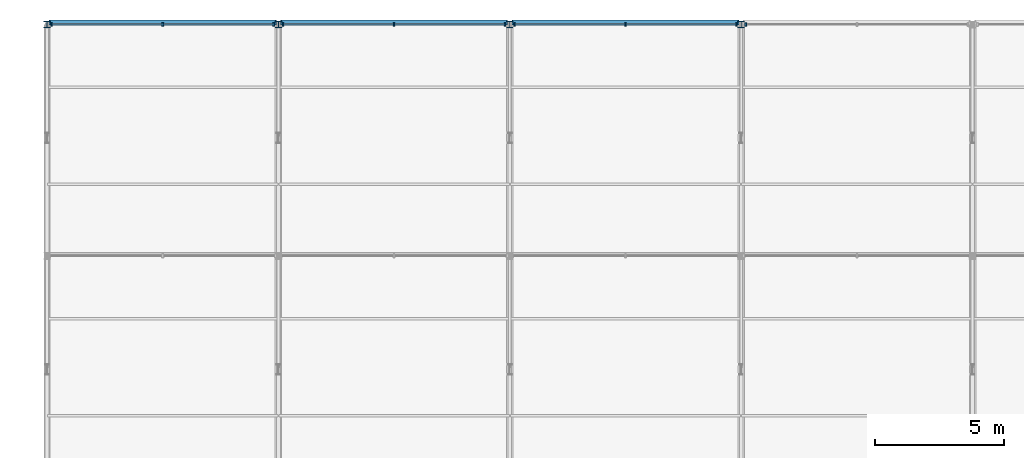
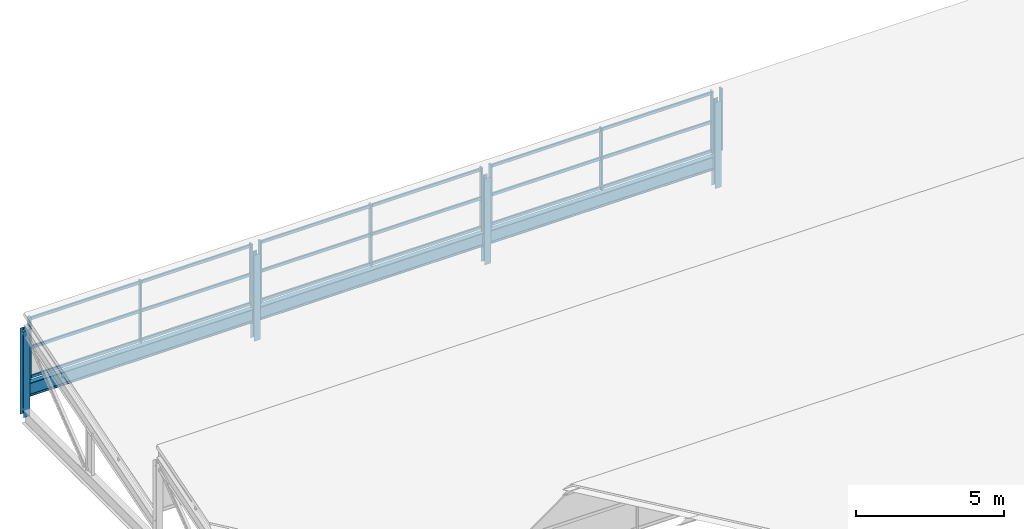
# One storey, part 93 of 163: 32 members, 3 beams, 4 elements without a shape of their own.
"""IFC4 building model written with IfcOpenShell, lengths in metres."""

from ifc_helpers import new_model, si_unit, direction, frame, origin, origin_2d, place, context, subcontext, project, spatial, rectangle, i_section, extrude, material, material_profile, profile_set, type_object, element, aggregate, save


model = new_model("IFC4")

# Units and contexts
model_context = context("Model", 3, precision=1e-05, world=origin(), true_north=direction((0.0, 1.0)))
body_context = subcontext(model_context, "Body", "Model", "MODEL_VIEW")
ifc_project = project(units=[si_unit("LENGTHUNIT", "METRE"), si_unit("AREAUNIT", "SQUARE_METRE"), si_unit("VOLUMEUNIT", "CUBIC_METRE"), si_unit("PLANEANGLEUNIT", "RADIAN"), si_unit("MASSUNIT", "GRAM", prefix="KILO")], contexts=[model_context])

# Site, building, storey
site_placement = place(None, origin())
site = spatial("IfcSite", under=ifc_project, at=site_placement, CompositionType="ELEMENT")
building_placement = place(site_placement, origin())
building = spatial("IfcBuilding", under=site, at=building_placement, Name="Tharagai Park Tramway Depot", CompositionType="ELEMENT")
storey_placement = place(building_placement, frame((0.0, 0.0, 8.39990234375)))
storey = spatial("IfcBuildingStorey", under=building, at=storey_placement, Name="L02", CompositionType="ELEMENT", Elevation=8.39990234375)

# Beams
ifc_material_1 = material(Name="Steel E350", Category="steel")
ifc_material_profile_1 = material_profile(ifc_material_1, i_section(OverallWidth=0.18994140625, OverallDepth=0.550048828125, WebThickness=0.01123046875, FlangeThickness=0.019287109375, FilletRadius=0.01806640625, at=origin_2d()), Name="ISMB 550")
ifc_profile_set_1 = profile_set([ifc_material_profile_1], Name="Steel E350")
beam_type = type_object("IfcBeamType", Name="BM-09", PredefinedType="BEAM", material=ifc_profile_set_1)
for number, where, z_axis, x_axis, name in (
    (1, (0.080078125, 144.0, 0.72509765625), (1.0, 0.0, 0.0), (0.0, 1.0, 0.0), "Sawtooth Valley Girder BM-09"),
    (2, (9.080078125, 144.0, 0.72509765625), (1.0, 0.0, 0.0), (0.0, 1.0, 0.0), "Sawtooth Valley Girder BM-09"),
    (3, (18.080078125, 144.0, 0.72509765625), (1.0, 0.0, 0.0), (0.0, 1.0, 0.0), "Sawtooth Valley Girder BM-09"),
):
    element("IfcBeam", number, at=place(storey_placement, frame(where, z_axis=z_axis, x_axis=x_axis)), inside=storey, type_object=beam_type, Name=name, PredefinedType="BEAM", context=body_context, shape_type="SweptSolid", body=[
        extrude(i_section(OverallWidth=0.18994140625, OverallDepth=0.550048828125, WebThickness=0.01123046875, FlangeThickness=0.019287109375, FilletRadius=0.01806640625, at=origin_2d()), origin(), (0.0, 0.0, 1.0), 8.83984375),
    ])

# Members
ifc_material_profile_2 = material_profile(ifc_material_1, i_section(OverallWidth=0.25, OverallDepth=0.25, WebThickness=0.0087890625, FlangeThickness=0.009765625, FilletRadius=0.010009765625, at=origin_2d()), Name="ISHB 250")
ifc_profile_set_2 = profile_set([ifc_material_profile_2], Name="Steel E350")
member_type_1 = type_object("IfcMemberType", Name="BR-01", PredefinedType="BRACE", material=ifc_profile_set_2)
for number, where, z_axis, x_axis, name in (
    (4, (0.0, 143.919921875, -0.25), (0.0, 0.0, 1.0), (1.0, 0.0, 0.0), "Sawtooth North Vertical Post BR-01"),
    (5, (9.0, 143.919921875, -0.25), (0.0, 0.0, 1.0), (1.0, 0.0, 0.0), "Sawtooth North Vertical Post BR-01"),
    (6, (18.0, 143.919921875, -0.25), (0.0, 0.0, 1.0), (1.0, 0.0, 0.0), "Sawtooth North Vertical Post BR-01"),
    (7, (27.0, 143.919921875, -0.25), (0.0, 0.0, 1.0), (1.0, 0.0, 0.0), "Sawtooth North Vertical Post BR-01"),
):
    element("IfcMember", number, at=place(storey_placement, frame(where, z_axis=z_axis, x_axis=x_axis)), inside=storey, type_object=member_type_1, Name=name, PredefinedType="BRACE", context=body_context, shape_type="SweptSolid", body=[
        extrude(i_section(OverallWidth=0.25, OverallDepth=0.25, WebThickness=0.0087890625, FlangeThickness=0.009765625, FilletRadius=0.010009765625, at=origin_2d()), origin(), (0.0, 0.0, 1.0), 3.55517578125),
    ])

# Curtain wall, members
ifc_material_2 = material(Name="Anodised aluminium", Category="aluminium")
curtain_wall_type = type_object("IfcCurtainWallType", Name="CW-03", PredefinedType="NOTDEFINED", material=ifc_material_2)
curtain_wall_1_placement = place(storey_placement, origin())
curtain_wall_1 = element("IfcCurtainWall", 8, at=curtain_wall_1_placement, inside=storey, type_object=curtain_wall_type, Name="Sawtooth North-Light Clerestory CW-03", PredefinedType="NOTDEFINED")
ifc_material_profile_3 = material_profile(ifc_material_2, rectangle(XDim=0.06494140625, YDim=0.1201171875, at=origin_2d()), Name="ALU 65x120")
ifc_profile_set_3 = profile_set([ifc_material_profile_3], Name="Anodised aluminium")
member_type_2 = type_object("IfcMemberType", Name="CM-01", PredefinedType="USERDEFINED", material=ifc_profile_set_3)
member_1_placement = place(storey_placement, frame((0.195068359375, 143.919921875, 1.26513671875), z_axis=(1.0, 0.0, 0.0), x_axis=(0.0, 1.0, 0.0)))
member_1 = element("IfcMember", 9, at=member_1_placement, type_object=member_type_2, Name="Sawtooth North-Light Clerestory Transom 1.1", ObjectType="TRANSOM", PredefinedType="USERDEFINED", context=body_context, shape_type="SweptSolid", body=[
    extrude(rectangle(XDim=0.06494140625, YDim=0.1201171875, at=origin_2d()), origin(), (0.0, 0.0, 1.0), 4.2900390625),
])
member_2_placement = place(storey_placement, frame((0.195068359375, 143.919921875, 2.4736328125), z_axis=(1.0, 0.0, 0.0), x_axis=(0.0, 1.0, 0.0)))
member_2 = element("IfcMember", 10, at=member_2_placement, type_object=member_type_2, Name="Sawtooth North-Light Clerestory Transom 1.2", ObjectType="TRANSOM", PredefinedType="USERDEFINED", context=body_context, shape_type="SweptSolid", body=[
    extrude(rectangle(XDim=0.06494140625, YDim=0.1201171875, at=origin_2d()), origin(), (0.0, 0.0, 1.0), 4.2900390625),
])
member_3_placement = place(storey_placement, frame((0.195068359375, 143.919921875, 3.662353515625), z_axis=(1.0, 0.0, 0.0), x_axis=(0.0, 1.0, 0.0)))
member_3 = element("IfcMember", 11, at=member_3_placement, type_object=member_type_2, Name="Sawtooth North-Light Clerestory Transom 1.3", ObjectType="TRANSOM", PredefinedType="USERDEFINED", context=body_context, shape_type="SweptSolid", body=[
    extrude(rectangle(XDim=0.06494140625, YDim=0.1201171875, at=origin_2d()), origin(), (0.0, 0.0, 1.0), 4.2900390625),
])
member_4_placement = place(storey_placement, frame((4.514892578125, 143.919921875, 1.26513671875), z_axis=(1.0, 0.0, 0.0), x_axis=(0.0, 1.0, 0.0)))
member_4 = element("IfcMember", 12, at=member_4_placement, type_object=member_type_2, Name="Sawtooth North-Light Clerestory Transom 2.1", ObjectType="TRANSOM", PredefinedType="USERDEFINED", context=body_context, shape_type="SweptSolid", body=[
    extrude(rectangle(XDim=0.06494140625, YDim=0.1201171875, at=origin_2d()), origin(), (0.0, 0.0, 1.0), 4.2900390625),
])
member_5_placement = place(storey_placement, frame((4.514892578125, 143.919921875, 2.4736328125), z_axis=(1.0, 0.0, 0.0), x_axis=(0.0, 1.0, 0.0)))
member_5 = element("IfcMember", 13, at=member_5_placement, type_object=member_type_2, Name="Sawtooth North-Light Clerestory Transom 2.2", ObjectType="TRANSOM", PredefinedType="USERDEFINED", context=body_context, shape_type="SweptSolid", body=[
    extrude(rectangle(XDim=0.06494140625, YDim=0.1201171875, at=origin_2d()), origin(), (0.0, 0.0, 1.0), 4.2900390625),
])
member_6_placement = place(storey_placement, frame((4.514892578125, 143.919921875, 3.662353515625), z_axis=(1.0, 0.0, 0.0), x_axis=(0.0, 1.0, 0.0)))
member_6 = element("IfcMember", 14, at=member_6_placement, type_object=member_type_2, Name="Sawtooth North-Light Clerestory Transom 2.3", ObjectType="TRANSOM", PredefinedType="USERDEFINED", context=body_context, shape_type="SweptSolid", body=[
    extrude(rectangle(XDim=0.06494140625, YDim=0.1201171875, at=origin_2d()), origin(), (0.0, 0.0, 1.0), 4.2900390625),
])

curtain_wall_2_placement = place(storey_placement, origin())
curtain_wall_2 = element("IfcCurtainWall", 15, at=curtain_wall_2_placement, inside=storey, type_object=curtain_wall_type, Name="Sawtooth North-Light Clerestory CW-03", PredefinedType="NOTDEFINED")
member_7_placement = place(storey_placement, frame((9.195068359375, 143.919921875, 1.26513671875), z_axis=(1.0, 0.0, 0.0), x_axis=(0.0, 1.0, 0.0)))
member_7 = element("IfcMember", 16, at=member_7_placement, type_object=member_type_2, Name="Sawtooth North-Light Clerestory Transom 1.1", ObjectType="TRANSOM", PredefinedType="USERDEFINED", context=body_context, shape_type="SweptSolid", body=[
    extrude(rectangle(XDim=0.06494140625, YDim=0.1201171875, at=origin_2d()), origin(), (0.0, 0.0, 1.0), 4.2900390625),
])
member_8_placement = place(storey_placement, frame((9.195068359375, 143.919921875, 2.4736328125), z_axis=(1.0, 0.0, 0.0), x_axis=(0.0, 1.0, 0.0)))
member_8 = element("IfcMember", 17, at=member_8_placement, type_object=member_type_2, Name="Sawtooth North-Light Clerestory Transom 1.2", ObjectType="TRANSOM", PredefinedType="USERDEFINED", context=body_context, shape_type="SweptSolid", body=[
    extrude(rectangle(XDim=0.06494140625, YDim=0.1201171875, at=origin_2d()), origin(), (0.0, 0.0, 1.0), 4.2900390625),
])
member_9_placement = place(storey_placement, frame((9.195068359375, 143.919921875, 3.662353515625), z_axis=(1.0, 0.0, 0.0), x_axis=(0.0, 1.0, 0.0)))
member_9 = element("IfcMember", 18, at=member_9_placement, type_object=member_type_2, Name="Sawtooth North-Light Clerestory Transom 1.3", ObjectType="TRANSOM", PredefinedType="USERDEFINED", context=body_context, shape_type="SweptSolid", body=[
    extrude(rectangle(XDim=0.06494140625, YDim=0.1201171875, at=origin_2d()), origin(), (0.0, 0.0, 1.0), 4.2900390625),
])
member_10_placement = place(storey_placement, frame((13.514892578125, 143.919921875, 1.26513671875), z_axis=(1.0, 0.0, 0.0), x_axis=(0.0, 1.0, 0.0)))
member_10 = element("IfcMember", 19, at=member_10_placement, type_object=member_type_2, Name="Sawtooth North-Light Clerestory Transom 2.1", ObjectType="TRANSOM", PredefinedType="USERDEFINED", context=body_context, shape_type="SweptSolid", body=[
    extrude(rectangle(XDim=0.06494140625, YDim=0.1201171875, at=origin_2d()), origin(), (0.0, 0.0, 1.0), 4.2900390625),
])
member_11_placement = place(storey_placement, frame((13.514892578125, 143.919921875, 2.4736328125), z_axis=(1.0, 0.0, 0.0), x_axis=(0.0, 1.0, 0.0)))
member_11 = element("IfcMember", 20, at=member_11_placement, type_object=member_type_2, Name="Sawtooth North-Light Clerestory Transom 2.2", ObjectType="TRANSOM", PredefinedType="USERDEFINED", context=body_context, shape_type="SweptSolid", body=[
    extrude(rectangle(XDim=0.06494140625, YDim=0.1201171875, at=origin_2d()), origin(), (0.0, 0.0, 1.0), 4.2900390625),
])
member_12_placement = place(storey_placement, frame((13.514892578125, 143.919921875, 3.662353515625), z_axis=(1.0, 0.0, 0.0), x_axis=(0.0, 1.0, 0.0)))
member_12 = element("IfcMember", 21, at=member_12_placement, type_object=member_type_2, Name="Sawtooth North-Light Clerestory Transom 2.3", ObjectType="TRANSOM", PredefinedType="USERDEFINED", context=body_context, shape_type="SweptSolid", body=[
    extrude(rectangle(XDim=0.06494140625, YDim=0.1201171875, at=origin_2d()), origin(), (0.0, 0.0, 1.0), 4.2900390625),
])

curtain_wall_3_placement = place(storey_placement, origin())
curtain_wall_3 = element("IfcCurtainWall", 22, at=curtain_wall_3_placement, inside=storey, type_object=curtain_wall_type, Name="Sawtooth North-Light Clerestory CW-03", PredefinedType="NOTDEFINED")
member_13_placement = place(storey_placement, frame((18.195068359375, 143.919921875, 1.26513671875), z_axis=(1.0, 0.0, 0.0), x_axis=(0.0, 1.0, 0.0)))
member_13 = element("IfcMember", 23, at=member_13_placement, type_object=member_type_2, Name="Sawtooth North-Light Clerestory Transom 1.1", ObjectType="TRANSOM", PredefinedType="USERDEFINED", context=body_context, shape_type="SweptSolid", body=[
    extrude(rectangle(XDim=0.06494140625, YDim=0.1201171875, at=origin_2d()), origin(), (0.0, 0.0, 1.0), 4.2900390625),
])
member_14_placement = place(storey_placement, frame((18.195068359375, 143.919921875, 2.4736328125), z_axis=(1.0, 0.0, 0.0), x_axis=(0.0, 1.0, 0.0)))
member_14 = element("IfcMember", 24, at=member_14_placement, type_object=member_type_2, Name="Sawtooth North-Light Clerestory Transom 1.2", ObjectType="TRANSOM", PredefinedType="USERDEFINED", context=body_context, shape_type="SweptSolid", body=[
    extrude(rectangle(XDim=0.06494140625, YDim=0.1201171875, at=origin_2d()), origin(), (0.0, 0.0, 1.0), 4.2900390625),
])
member_15_placement = place(storey_placement, frame((18.195068359375, 143.919921875, 3.662353515625), z_axis=(1.0, 0.0, 0.0), x_axis=(0.0, 1.0, 0.0)))
member_15 = element("IfcMember", 25, at=member_15_placement, type_object=member_type_2, Name="Sawtooth North-Light Clerestory Transom 1.3", ObjectType="TRANSOM", PredefinedType="USERDEFINED", context=body_context, shape_type="SweptSolid", body=[
    extrude(rectangle(XDim=0.06494140625, YDim=0.1201171875, at=origin_2d()), origin(), (0.0, 0.0, 1.0), 4.2900390625),
])
member_16_placement = place(storey_placement, frame((22.514892578125, 143.919921875, 1.26513671875), z_axis=(1.0, 0.0, 0.0), x_axis=(0.0, 1.0, 0.0)))
member_16 = element("IfcMember", 26, at=member_16_placement, type_object=member_type_2, Name="Sawtooth North-Light Clerestory Transom 2.1", ObjectType="TRANSOM", PredefinedType="USERDEFINED", context=body_context, shape_type="SweptSolid", body=[
    extrude(rectangle(XDim=0.06494140625, YDim=0.1201171875, at=origin_2d()), origin(), (0.0, 0.0, 1.0), 4.2900390625),
])
member_17_placement = place(storey_placement, frame((22.514892578125, 143.919921875, 2.4736328125), z_axis=(1.0, 0.0, 0.0), x_axis=(0.0, 1.0, 0.0)))
member_17 = element("IfcMember", 27, at=member_17_placement, type_object=member_type_2, Name="Sawtooth North-Light Clerestory Transom 2.2", ObjectType="TRANSOM", PredefinedType="USERDEFINED", context=body_context, shape_type="SweptSolid", body=[
    extrude(rectangle(XDim=0.06494140625, YDim=0.1201171875, at=origin_2d()), origin(), (0.0, 0.0, 1.0), 4.2900390625),
])
member_18_placement = place(storey_placement, frame((22.514892578125, 143.919921875, 3.662353515625), z_axis=(1.0, 0.0, 0.0), x_axis=(0.0, 1.0, 0.0)))
member_18 = element("IfcMember", 28, at=member_18_placement, type_object=member_type_2, Name="Sawtooth North-Light Clerestory Transom 2.3", ObjectType="TRANSOM", PredefinedType="USERDEFINED", context=body_context, shape_type="SweptSolid", body=[
    extrude(rectangle(XDim=0.06494140625, YDim=0.1201171875, at=origin_2d()), origin(), (0.0, 0.0, 1.0), 4.2900390625),
])

# Member
ifc_material_profile_4 = material_profile(ifc_material_2, rectangle(XDim=0.06494140625, YDim=0.14990234375, at=origin_2d()), Name="ALU 65x150")
ifc_profile_set_4 = profile_set([ifc_material_profile_4], Name="Anodised aluminium")
member_type_3 = type_object("IfcMemberType", Name="CM-03", PredefinedType="MULLION", material=ifc_profile_set_4)
member_19_placement = place(storey_placement, frame((0.179931640625, 143.919921875, 1.2001953125), z_axis=(0.0, 0.0, 1.0), x_axis=(1.0, 0.0, 0.0)))
member_19 = element("IfcMember", 29, at=member_19_placement, type_object=member_type_3, Name="Sawtooth North-Light Clerestory Mullion 1", PredefinedType="MULLION", context=body_context, shape_type="SweptSolid", body=[
    extrude(rectangle(XDim=0.06494140625, YDim=0.14990234375, at=origin_2d()), origin(), (0.0, 0.0, 1.0), 2.547119140625),
])

member_20_placement = place(storey_placement, frame((4.5, 143.919921875, 1.2001953125), z_axis=(0.0, 0.0, 1.0), x_axis=(1.0, 0.0, 0.0)))
member_20 = element("IfcMember", 30, at=member_20_placement, type_object=member_type_3, Name="Sawtooth North-Light Clerestory Mullion 2", PredefinedType="MULLION", context=body_context, shape_type="SweptSolid", body=[
    extrude(rectangle(XDim=0.06494140625, YDim=0.14990234375, at=origin_2d()), origin(), (0.0, 0.0, 1.0), 2.547119140625),
])

member_21_placement = place(storey_placement, frame((8.820068359375, 143.919921875, 1.2001953125), z_axis=(0.0, 0.0, 1.0), x_axis=(1.0, 0.0, 0.0)))
member_21 = element("IfcMember", 31, at=member_21_placement, type_object=member_type_3, Name="Sawtooth North-Light Clerestory Mullion 3", PredefinedType="MULLION", context=body_context, shape_type="SweptSolid", body=[
    extrude(rectangle(XDim=0.06494140625, YDim=0.14990234375, at=origin_2d()), origin(), (0.0, 0.0, 1.0), 2.547119140625),
])

aggregate(curtain_wall_1, [member_19, member_20, member_21, member_1, member_2, member_3, member_4, member_5, member_6])

member_22_placement = place(storey_placement, frame((9.179931640625, 143.919921875, 1.2001953125), z_axis=(0.0, 0.0, 1.0), x_axis=(1.0, 0.0, 0.0)))
member_22 = element("IfcMember", 32, at=member_22_placement, type_object=member_type_3, Name="Sawtooth North-Light Clerestory Mullion 1", PredefinedType="MULLION", context=body_context, shape_type="SweptSolid", body=[
    extrude(rectangle(XDim=0.06494140625, YDim=0.14990234375, at=origin_2d()), origin(), (0.0, 0.0, 1.0), 2.547119140625),
])

member_23_placement = place(storey_placement, frame((13.5, 143.919921875, 1.2001953125), z_axis=(0.0, 0.0, 1.0), x_axis=(1.0, 0.0, 0.0)))
member_23 = element("IfcMember", 33, at=member_23_placement, type_object=member_type_3, Name="Sawtooth North-Light Clerestory Mullion 2", PredefinedType="MULLION", context=body_context, shape_type="SweptSolid", body=[
    extrude(rectangle(XDim=0.06494140625, YDim=0.14990234375, at=origin_2d()), origin(), (0.0, 0.0, 1.0), 2.547119140625),
])

member_24_placement = place(storey_placement, frame((17.820068359375, 143.919921875, 1.2001953125), z_axis=(0.0, 0.0, 1.0), x_axis=(1.0, 0.0, 0.0)))
member_24 = element("IfcMember", 34, at=member_24_placement, type_object=member_type_3, Name="Sawtooth North-Light Clerestory Mullion 3", PredefinedType="MULLION", context=body_context, shape_type="SweptSolid", body=[
    extrude(rectangle(XDim=0.06494140625, YDim=0.14990234375, at=origin_2d()), origin(), (0.0, 0.0, 1.0), 2.547119140625),
])

aggregate(curtain_wall_2, [member_22, member_23, member_24, member_7, member_8, member_9, member_10, member_11, member_12])

member_25_placement = place(storey_placement, frame((18.179931640625, 143.919921875, 1.2001953125), z_axis=(0.0, 0.0, 1.0), x_axis=(1.0, 0.0, 0.0)))
member_25 = element("IfcMember", 35, at=member_25_placement, type_object=member_type_3, Name="Sawtooth North-Light Clerestory Mullion 1", PredefinedType="MULLION", context=body_context, shape_type="SweptSolid", body=[
    extrude(rectangle(XDim=0.06494140625, YDim=0.14990234375, at=origin_2d()), origin(), (0.0, 0.0, 1.0), 2.547119140625),
])

member_26_placement = place(storey_placement, frame((22.5, 143.919921875, 1.2001953125), z_axis=(0.0, 0.0, 1.0), x_axis=(1.0, 0.0, 0.0)))
member_26 = element("IfcMember", 36, at=member_26_placement, type_object=member_type_3, Name="Sawtooth North-Light Clerestory Mullion 2", PredefinedType="MULLION", context=body_context, shape_type="SweptSolid", body=[
    extrude(rectangle(XDim=0.06494140625, YDim=0.14990234375, at=origin_2d()), origin(), (0.0, 0.0, 1.0), 2.547119140625),
])

member_27_placement = place(storey_placement, frame((26.820068359375, 143.919921875, 1.2001953125), z_axis=(0.0, 0.0, 1.0), x_axis=(1.0, 0.0, 0.0)))
member_27 = element("IfcMember", 37, at=member_27_placement, type_object=member_type_3, Name="Sawtooth North-Light Clerestory Mullion 3", PredefinedType="MULLION", context=body_context, shape_type="SweptSolid", body=[
    extrude(rectangle(XDim=0.06494140625, YDim=0.14990234375, at=origin_2d()), origin(), (0.0, 0.0, 1.0), 2.547119140625),
])

aggregate(curtain_wall_3, [member_25, member_26, member_27, member_13, member_14, member_15, member_16, member_17, member_18])

# Curtain wall, member
curtain_wall_4_placement = place(storey_placement, origin())
curtain_wall_4 = element("IfcCurtainWall", 38, at=curtain_wall_4_placement, inside=storey, type_object=curtain_wall_type, Name="Sawtooth North-Light Clerestory CW-03", PredefinedType="NOTDEFINED")
member_28_placement = place(storey_placement, frame((27.179931640625, 143.919921875, 1.2001953125), z_axis=(0.0, 0.0, 1.0), x_axis=(1.0, 0.0, 0.0)))
member_28 = element("IfcMember", 39, at=member_28_placement, type_object=member_type_3, Name="Sawtooth North-Light Clerestory Mullion 1", PredefinedType="MULLION", context=body_context, shape_type="SweptSolid", body=[
    extrude(rectangle(XDim=0.06494140625, YDim=0.14990234375, at=origin_2d()), origin(), (0.0, 0.0, 1.0), 2.547119140625),
])
aggregate(curtain_wall_4, [member_28])

save(model, "model.ifc")
